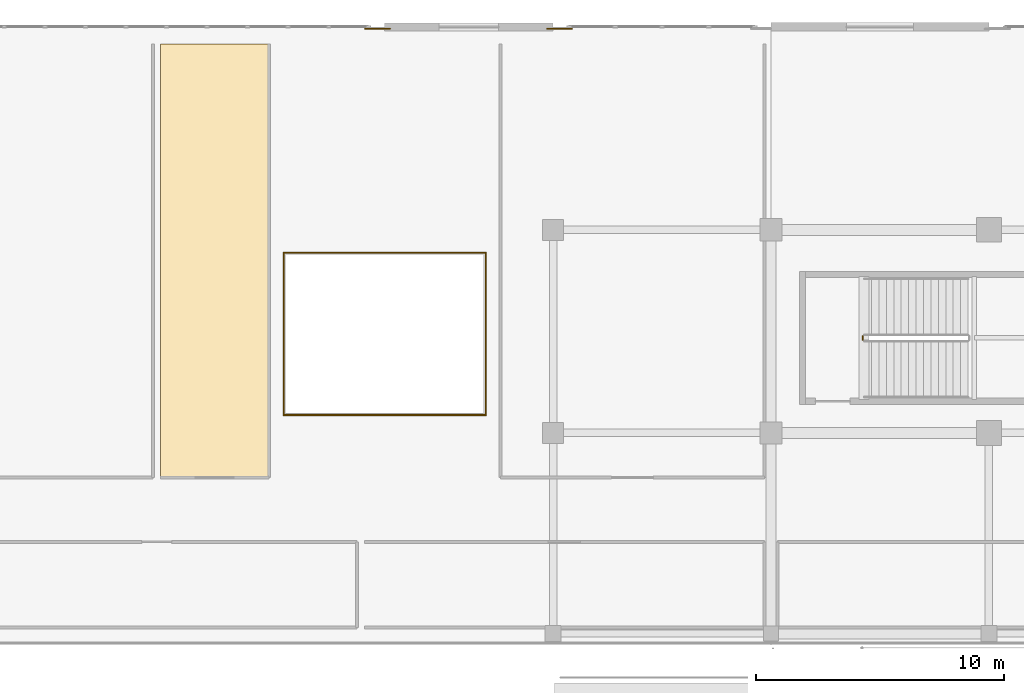
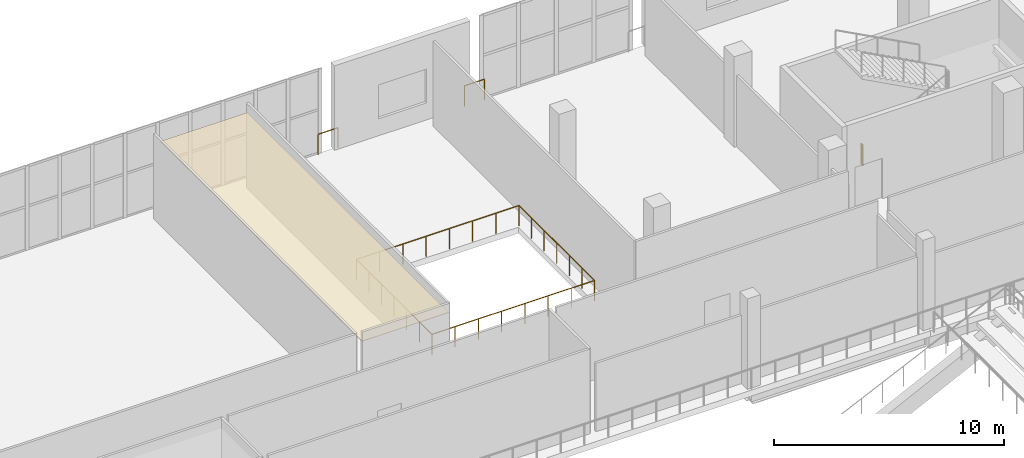
# One storey, part 127 of 129: 7 railings, 1 covering.
"""IFC4 building model written with IfcOpenShell, lengths in metres."""

from ifc_helpers import new_model, si_unit, direction, frame, origin, origin_2d, place, context, subcontext, project, spatial, polyline, circle, outline, extrude, material, layer, layer_set, type_object, element, save


model = new_model("IFC4")

# Units and contexts
model_context = context("Model", 3, precision=1e-05, world=origin(), true_north=direction((0.0, 1.0)))
body_context = subcontext(model_context, "Body", "Model", "MODEL_VIEW")
ifc_project = project(units=[si_unit("LENGTHUNIT", "METRE"), si_unit("AREAUNIT", "SQUARE_METRE"), si_unit("VOLUMEUNIT", "CUBIC_METRE"), si_unit("PLANEANGLEUNIT", "RADIAN"), si_unit("MASSUNIT", "GRAM", prefix="KILO")], contexts=[model_context])

# Site, building, storey
site_placement = place(None, origin())
site = spatial("IfcSite", under=ifc_project, at=site_placement, CompositionType="ELEMENT")
building_placement = place(site_placement, origin())
building = spatial("IfcBuilding", under=site, at=building_placement, Name="Koshinbarg Plaza Stadium", CompositionType="ELEMENT")
storey_placement = place(building_placement, frame((0.0, 0.0, 5.39990234375)))
storey = spatial("IfcBuildingStorey", under=building, at=storey_placement, Name="L01", CompositionType="ELEMENT", Elevation=5.39990234375)

# Covering
ifc_material_1 = material(Name="Perforated gypsum acoustic ceiling board")
ifc_layer = layer(ifc_material_1, 0.030029296875)
ifc_layer_set = layer_set([ifc_layer], Name="Perforated gypsum acoustic ceiling board")
covering_type = type_object("IfcCoveringType", Name="COV-CEIL-01", PredefinedType="CEILING", material=ifc_layer_set)
covering_placement = place(storey_placement, frame((0.0, 0.0, 3.9501953125)))
element("IfcCovering", 1, at=covering_placement, inside=storey, type_object=covering_type, Name="L01 Sports Museum Upper Hall acoustic ceiling 012", PredefinedType="CEILING", context=body_context, shape_type="SweptSolid", body=[
    extrude(outline(polyline([(146.949951171875, 133.800048828125), (151.320068359375, 133.800048828125), (151.320068359375, 151.300048828125), (146.949951171875, 151.300048828125), (146.949951171875, 133.800048828125)])), origin(), (0.0, 0.0, 1.0), 0.02978515625),
])

# Railings
ifc_material_2 = material(Name="Toughened laminated glass and stainless steel sightline balustrade", Category="steel")
railing_type_1 = type_object("IfcRailingType", Name="RL-BOWL-1100", PredefinedType="BALUSTRADE", material=ifc_material_2)
railing_1_placement = place(storey_placement, frame((151.919921875, 136.320068359375, 0.0)))
element("IfcRailing", 2, at=railing_1_placement, inside=storey, type_object=railing_type_1, Name="L01 atrium light-well balustrade 0035", PredefinedType="BALUSTRADE", context=body_context, shape_type="SweptSolid", body=[
    extrude(circle(Radius=0.02392578125, at=origin_2d()), frame((0.0, 0.0, 1.076171875), z_axis=(1.0, 0.0, 0.0), x_axis=(0.0, 1.0, 0.0)), (0.0, 0.0, 1.0), 8.16015625),
    extrude(circle(Radius=0.02099609375, at=origin_2d()), origin(), (0.0, 0.0, 1.0), 1.052001953125),
    extrude(circle(Radius=0.02099609375, at=origin_2d()), frame((1.165771484375, 0.0, 0.0)), (0.0, 0.0, 1.0), 1.052001953125),
    extrude(circle(Radius=0.02099609375, at=origin_2d()), frame((2.33154296875, 0.0, 0.0)), (0.0, 0.0, 1.0), 1.052001953125),
    extrude(circle(Radius=0.02099609375, at=origin_2d()), frame((3.497314453125, 0.0, 0.0)), (0.0, 0.0, 1.0), 1.052001953125),
    extrude(circle(Radius=0.02099609375, at=origin_2d()), frame((4.662841796875, 0.0, 0.0)), (0.0, 0.0, 1.0), 1.052001953125),
    extrude(circle(Radius=0.02099609375, at=origin_2d()), frame((5.82861328125, 0.0, 0.0)), (0.0, 0.0, 1.0), 1.052001953125),
    extrude(circle(Radius=0.02099609375, at=origin_2d()), frame((6.994384765625, 0.0, 0.0)), (0.0, 0.0, 1.0), 1.052001953125),
    extrude(circle(Radius=0.02099609375, at=origin_2d()), frame((8.16015625, 0.0, 0.0)), (0.0, 0.0, 1.0), 1.052001953125),
])
railing_2_placement = place(storey_placement, frame((160.080078125, 136.320068359375, 0.0)))
element("IfcRailing", 3, at=railing_2_placement, inside=storey, type_object=railing_type_1, Name="L01 atrium light-well balustrade 0036", PredefinedType="BALUSTRADE", context=body_context, shape_type="SweptSolid", body=[
    extrude(circle(Radius=0.02392578125, at=origin_2d()), frame((0.0, 0.0, 1.076171875), z_axis=(0.0, 1.0, 0.0), x_axis=(-1.0, 0.0, 0.0)), (0.0, 0.0, 1.0), 6.559814453125),
    extrude(circle(Radius=0.02099609375, at=origin_2d()), origin(), (0.0, 0.0, 1.0), 1.052001953125),
    extrude(circle(Radius=0.02099609375, at=origin_2d()), frame((0.0, 1.09326171875, 0.0)), (0.0, 0.0, 1.0), 1.052001953125),
    extrude(circle(Radius=0.02099609375, at=origin_2d()), frame((0.0, 2.1865234375, 0.0)), (0.0, 0.0, 1.0), 1.052001953125),
    extrude(circle(Radius=0.02099609375, at=origin_2d()), frame((0.0, 3.27978515625, 0.0)), (0.0, 0.0, 1.0), 1.052001953125),
    extrude(circle(Radius=0.02099609375, at=origin_2d()), frame((0.0, 4.373291015625, 0.0)), (0.0, 0.0, 1.0), 1.052001953125),
    extrude(circle(Radius=0.02099609375, at=origin_2d()), frame((0.0, 5.466552734375, 0.0)), (0.0, 0.0, 1.0), 1.052001953125),
    extrude(circle(Radius=0.02099609375, at=origin_2d()), frame((0.0, 6.559814453125, 0.0)), (0.0, 0.0, 1.0), 1.052001953125),
])
railing_3_placement = place(storey_placement, frame((160.080078125, 142.8798828125, 0.0)))
element("IfcRailing", 4, at=railing_3_placement, inside=storey, type_object=railing_type_1, Name="L01 atrium light-well balustrade 0037", PredefinedType="BALUSTRADE", context=body_context, shape_type="SweptSolid", body=[
    extrude(circle(Radius=0.02392578125, at=origin_2d()), frame((0.0, 0.0, 1.076171875), z_axis=(-1.0, 0.0, 0.0), x_axis=(0.0, -1.0, 0.0)), (0.0, 0.0, 1.0), 8.16015625),
    extrude(circle(Radius=0.02099609375, at=origin_2d()), origin(), (0.0, 0.0, 1.0), 1.052001953125),
    extrude(circle(Radius=0.02099609375, at=origin_2d()), frame((-1.165771484375, 0.0, 0.0)), (0.0, 0.0, 1.0), 1.052001953125),
    extrude(circle(Radius=0.02099609375, at=origin_2d()), frame((-2.33154296875, 0.0, 0.0)), (0.0, 0.0, 1.0), 1.052001953125),
    extrude(circle(Radius=0.02099609375, at=origin_2d()), frame((-3.497314453125, 0.0, 0.0)), (0.0, 0.0, 1.0), 1.052001953125),
    extrude(circle(Radius=0.02099609375, at=origin_2d()), frame((-4.662841796875, 0.0, 0.0)), (0.0, 0.0, 1.0), 1.052001953125),
    extrude(circle(Radius=0.02099609375, at=origin_2d()), frame((-5.82861328125, 0.0, 0.0)), (0.0, 0.0, 1.0), 1.052001953125),
    extrude(circle(Radius=0.02099609375, at=origin_2d()), frame((-6.994384765625, 0.0, 0.0)), (0.0, 0.0, 1.0), 1.052001953125),
    extrude(circle(Radius=0.02099609375, at=origin_2d()), frame((-8.16015625, 0.0, 0.0)), (0.0, 0.0, 1.0), 1.052001953125),
])
railing_4_placement = place(storey_placement, frame((151.919921875, 142.8798828125, 0.0)))
element("IfcRailing", 5, at=railing_4_placement, inside=storey, type_object=railing_type_1, Name="L01 atrium light-well balustrade 0038", PredefinedType="BALUSTRADE", context=body_context, shape_type="SweptSolid", body=[
    extrude(circle(Radius=0.02392578125, at=origin_2d()), frame((0.0, 0.0, 1.076171875), z_axis=(0.0, -1.0, 0.0), x_axis=(1.0, 0.0, 0.0)), (0.0, 0.0, 1.0), 6.559814453125),
    extrude(circle(Radius=0.02099609375, at=origin_2d()), origin(), (0.0, 0.0, 1.0), 1.052001953125),
    extrude(circle(Radius=0.02099609375, at=origin_2d()), frame((0.0, -1.09326171875, 0.0)), (0.0, 0.0, 1.0), 1.052001953125),
    extrude(circle(Radius=0.02099609375, at=origin_2d()), frame((0.0, -2.1865234375, 0.0)), (0.0, 0.0, 1.0), 1.052001953125),
    extrude(circle(Radius=0.02099609375, at=origin_2d()), frame((0.0, -3.27978515625, 0.0)), (0.0, 0.0, 1.0), 1.052001953125),
    extrude(circle(Radius=0.02099609375, at=origin_2d()), frame((0.0, -4.373291015625, 0.0)), (0.0, 0.0, 1.0), 1.052001953125),
    extrude(circle(Radius=0.02099609375, at=origin_2d()), frame((0.0, -5.466552734375, 0.0)), (0.0, 0.0, 1.0), 1.052001953125),
    extrude(circle(Radius=0.02099609375, at=origin_2d()), frame((0.0, -6.559814453125, 0.0)), (0.0, 0.0, 1.0), 1.052001953125),
])
for number, where, name in (
    (6, (155.21630859375, 151.919921875, 0.0), "L01 deck edge safety balustrade 0043"),
    (7, (162.558837890625, 151.919921875, 0.0), "L01 deck edge safety balustrade 0044"),
):
    element("IfcRailing", number, at=place(storey_placement, frame(where)), inside=storey, type_object=railing_type_1, Name=name, PredefinedType="BALUSTRADE", context=body_context, shape_type="SweptSolid", body=[
        extrude(circle(Radius=0.02392578125, at=origin_2d()), frame((0.0, 0.0, 1.076171875), z_axis=(1.0, 0.0, 0.0), x_axis=(0.0, 1.0, 0.0)), (0.0, 0.0, 1.0), 0.99951171875),
        extrude(circle(Radius=0.02099609375, at=origin_2d()), origin(), (0.0, 0.0, 1.0), 1.052001953125),
        extrude(circle(Radius=0.02099609375, at=origin_2d()), frame((0.99951171875, 0.0, 0.0)), (0.0, 0.0, 1.0), 1.052001953125),
    ])
ifc_material_3 = material(Name="Galvanized painted steel guardrail", Category="steel")
railing_type_2 = type_object("IfcRailingType", Name="RL-GUARD-1100", PredefinedType="GUARDRAIL", material=ifc_material_3)
railing_5_placement = place(storey_placement, frame((175.31005859375, 139.360107421875, 0.0)))
element("IfcRailing", 8, at=railing_5_placement, inside=storey, type_object=railing_type_2, Name="L01 C12 stair guard 4", PredefinedType="GUARDRAIL", context=body_context, shape_type="SweptSolid", body=[
    extrude(circle(Radius=0.02392578125, at=origin_2d()), frame((0.0, 0.0, 1.076171875), z_axis=(0.0, 1.0, 0.0), x_axis=(-1.0, 0.0, 0.0)), (0.0, 0.0, 1.0), 0.14990234375),
    extrude(circle(Radius=0.02099609375, at=origin_2d()), origin(), (0.0, 0.0, 1.0), 1.052001953125),
    extrude(circle(Radius=0.02099609375, at=origin_2d()), frame((0.0, 0.14990234375, 0.0)), (0.0, 0.0, 1.0), 1.052001953125),
])

save(model, "model.ifc")
